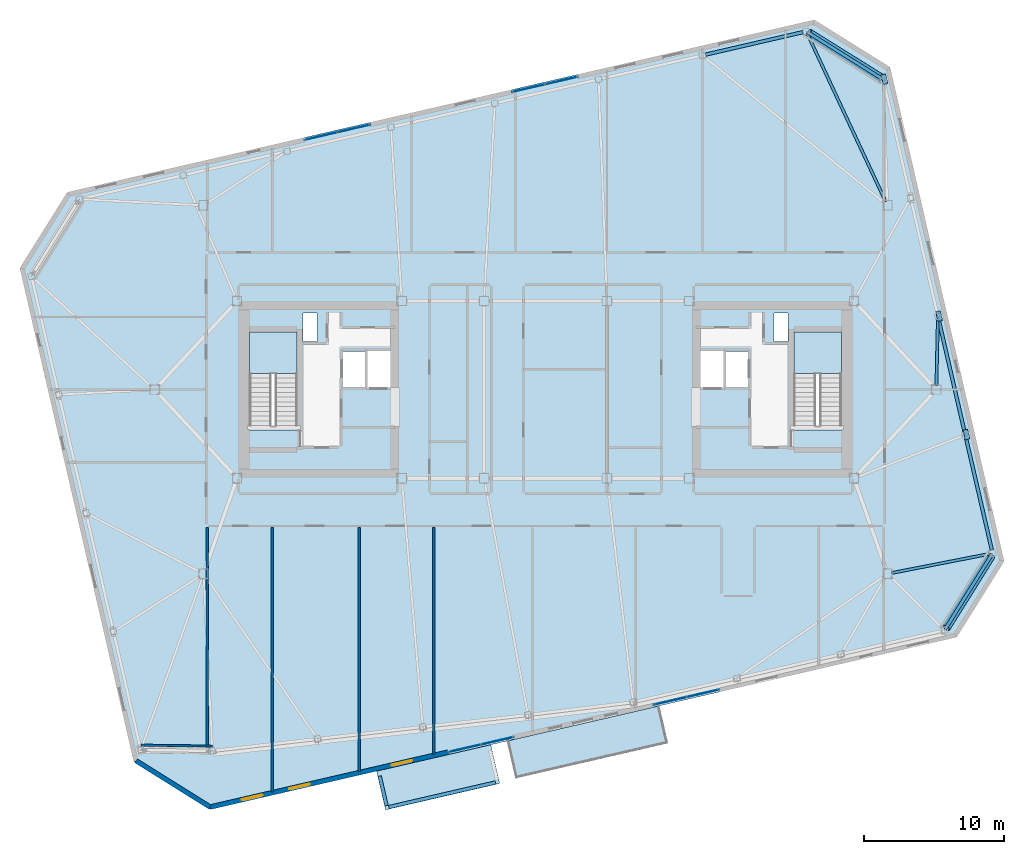
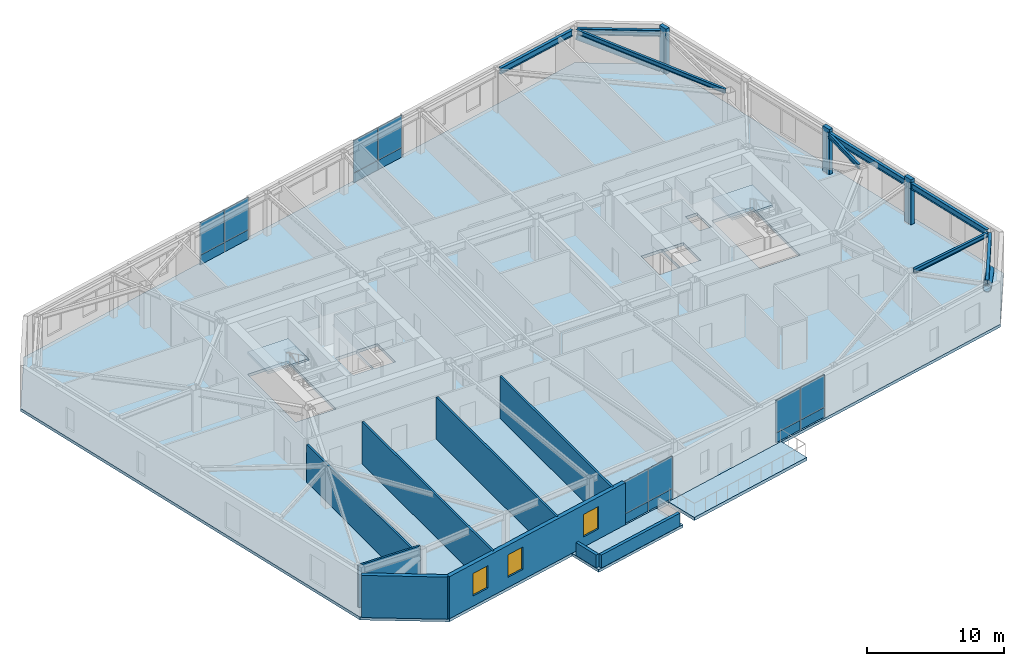
# One storey, part 14 of 23: 16 plates, 9 walls, 8 beams, 5 members, 5 slabs, 3 windows, 3 openings, 6 elements without a shape of their own.
"""IFC4 building model written with IfcOpenShell, lengths in metres."""

from ifc_helpers import new_model, si_unit, direction, frame, frame_2d, origin, origin_2d, place, context, subcontext, project, spatial, polyline, rectangle, hollow_circle, i_section, outline, extrude, material, layer, layer_set, material_profile, profile_set, type_object, element, fill, aggregate, save


model = new_model("IFC4")

# Units and contexts
model_context = context("Model", 3, precision=1e-05, world=origin(), true_north=direction((0.0, 1.0)))
body_context = subcontext(model_context, "Body", "Model", "MODEL_VIEW")
ifc_project = project(units=[si_unit("LENGTHUNIT", "METRE"), si_unit("AREAUNIT", "SQUARE_METRE"), si_unit("VOLUMEUNIT", "CUBIC_METRE"), si_unit("PLANEANGLEUNIT", "RADIAN"), si_unit("MASSUNIT", "GRAM", prefix="KILO")], contexts=[model_context])

# Site, building, storey
site_placement = place(None, origin())
site = spatial("IfcSite", under=ifc_project, at=site_placement, CompositionType="ELEMENT")
building_placement = place(site_placement, origin())
building = spatial("IfcBuilding", under=site, at=building_placement, Name="Tavrogorsk Clinical Tower", CompositionType="ELEMENT")
storey_placement = place(building_placement, frame((0.0, 0.0, 289.0)))
storey = spatial("IfcBuildingStorey", under=building, at=storey_placement, Name="L67", CompositionType="ELEMENT", Elevation=289.0)

# Members
ifc_material_1 = material(Name="Structural steel S440", Category="steel")
ifc_material_profile_1 = material_profile(ifc_material_1, hollow_circle(Radius=0.304931640625, WallThickness=0.02490234375, at=origin_2d()), Name="CHS-610x25")
ifc_profile_set_1 = profile_set([ifc_material_profile_1], Name="Structural steel S440")
member_type_1 = type_object("IfcMemberType", Name="ExoBrace_CHS610", PredefinedType="BRACE", material=ifc_profile_set_1)
for number, where, z_axis, x_axis, name in (
    (1, (31.9228515625, -11.9091796875, 0.393310546875), (-0.485685891885, -0.777193135924, 0.40010004236), (0.848027637525, -0.529952003481, 0.0), "L67 Corner Exoskeleton Brace S8-E1"),
    (2, (24.017578125, 22.332275390625, 0.393310546875), (-0.777221605895, 0.485643868835, 0.400095748531), (-0.529905066536, -0.848056967697, 0.0), "L67 Corner Exoskeleton Brace E5-N1"),
):
    element("IfcMember", number, at=place(storey_placement, frame(where, z_axis=z_axis, x_axis=x_axis)), inside=storey, type_object=member_type_1, Name=name, PredefinedType="BRACE", context=body_context, shape_type="SweptSolid", body=[
        extrude(hollow_circle(Radius=0.304931640625, WallThickness=0.02490234375, at=origin_2d()), origin(), (0.0, 0.0, 1.0), 6.63232421875),
    ])

# Beams
ifc_material_2 = material(Name="Structural steel S355", Category="steel")
ifc_material_profile_2 = material_profile(ifc_material_2, i_section(OverallWidth=0.199951171875, OverallDepth=0.39990234375, WebThickness=0.010498046875, FlangeThickness=0.01611328125, at=origin_2d()), Name="B-400x200x10.5x16")
ifc_profile_set_2 = profile_set([ifc_material_profile_2], Name="Structural steel S355")
beam_type_1 = type_object("IfcBeamType", Name="FloorBeam_B400", PredefinedType="BEAM", material=ifc_profile_set_2)
beam_1_placement = place(storey_placement, frame((24.368896484375, 13.48095703125, 3.5400390625), z_axis=(-0.422928957087, 0.906162842571, 0.0), x_axis=(-0.906162842571, -0.422928957087, 0.0)))
element("IfcBeam", 3, at=beam_1_placement, inside=storey, type_object=beam_type_1, Name="L67 Radial Floor Beam N1", PredefinedType="BEAM", context=body_context, shape_type="SweptSolid", body=[
    extrude(i_section(OverallWidth=0.199951171875, OverallDepth=0.39990234375, WebThickness=0.010498046875, FlangeThickness=0.01611328125, at=origin_2d()), origin(), (0.0, 0.0, 1.0), 13.214111328125),
])
beam_2_placement = place(storey_placement, frame((24.80419921875, -13.140625, 3.5400390625), z_axis=(0.981451198395, 0.191712141424, 0.0), x_axis=(-0.191712141424, 0.981451198395, 0.0)))
element("IfcBeam", 4, at=beam_2_placement, inside=storey, type_object=beam_type_1, Name="L67 Radial Floor Beam E1", PredefinedType="BEAM", context=body_context, shape_type="SweptSolid", body=[
    extrude(i_section(OverallWidth=0.199951171875, OverallDepth=0.39990234375, WebThickness=0.010498046875, FlangeThickness=0.01611328125, at=origin_2d()), origin(), (0.0, 0.0, 1.0), 7.13525390625),
])
beam_3_placement = place(storey_placement, frame((28.0068359375, 0.309814453125, 3.5400390625), z_axis=(0.022370062613, 0.999749758839, 0.0), x_axis=(-0.999749758839, 0.022370062613, 0.0)))
element("IfcBeam", 5, at=beam_3_placement, inside=storey, type_object=beam_type_1, Name="L67 Radial Floor Beam E3", PredefinedType="BEAM", context=body_context, shape_type="SweptSolid", body=[
    extrude(i_section(OverallWidth=0.199951171875, OverallDepth=0.39990234375, WebThickness=0.010498046875, FlangeThickness=0.01611328125, at=origin_2d()), origin(), (0.0, 0.0, 1.0), 4.703857421875),
])

# Members
ifc_material_3 = material(Name="Precast concrete B45 with limestone cladding", Category="masonry")
ifc_material_profile_3 = material_profile(ifc_material_3, rectangle(XDim=0.320068359375, YDim=0.719970703125, at=origin_2d()), Name="LIMESTONE-FIN-320x720")
ifc_profile_set_3 = profile_set([ifc_material_profile_3], Name="Precast concrete B45 with limestone cladding")
member_type_2 = type_object("IfcMemberType", Name="LimestonePleatFin_320x720", PredefinedType="USERDEFINED", material=ifc_profile_set_3)
for number, where, z_axis, x_axis, name in (
    (6, (30.154541015625, -3.223388671875, 0.0), (0.0, 0.0, 1.0), (0.974370064785, 0.224951054344, 0.0), "L67 E Pleated Stone Fin 1"),
    (7, (28.1953125, 5.263427734375, 0.0), (0.0, 0.0, 1.0), (0.974370064785, 0.224951054344, 0.0), "L67 E Pleated Stone Fin 2"),
    (8, (24.276611328125, 22.237060546875, 0.0), (0.0, 0.0, 1.0), (0.974370064785, 0.224951054344, 0.0), "L67 E Pleated Stone Fin 4"),
):
    element("IfcMember", number, at=place(storey_placement, frame(where, z_axis=z_axis, x_axis=x_axis)), inside=storey, type_object=member_type_2, Name=name, ObjectType="FIN", PredefinedType="USERDEFINED", context=body_context, shape_type="SweptSolid", body=[
        extrude(rectangle(XDim=0.320068359375, YDim=0.719970703125, at=origin_2d()), origin(), (0.0, 0.0, 1.0), 4.0),
    ])

# Beams
ifc_material_4 = material(Name="Structural steel S390", Category="steel")
ifc_material_profile_4 = material_profile(ifc_material_4, i_section(OverallWidth=0.239990234375, OverallDepth=0.550048828125, WebThickness=0.013916015625, FlangeThickness=0.02197265625, at=origin_2d()), Name="B-550x240x14x22")
ifc_profile_set_4 = profile_set([ifc_material_profile_4], Name="Structural steel S390")
beam_type_2 = type_object("IfcBeamType", Name="SpandrelBeam_B550", PredefinedType="SPANDREL", material=ifc_profile_set_4)
beam_4_placement = place(storey_placement, frame((28.712158203125, -17.04736328125, 3.465087890625), z_axis=(0.529904457892, 0.848057348006, 0.0), x_axis=(-0.848057348006, 0.529904457892, 0.0)))
element("IfcBeam", 9, at=beam_4_placement, inside=storey, type_object=beam_type_2, Name="L67 Perimeter Spandrel S8-E1", PredefinedType="SPANDREL", context=body_context, shape_type="SweptSolid", body=[
    extrude(i_section(OverallWidth=0.239990234375, OverallDepth=0.550048828125, WebThickness=0.013916015625, FlangeThickness=0.02197265625, at=origin_2d()), origin(), (0.0, 0.0, 1.0), 6.039306640625),
])
for number, where, z_axis, x_axis, name in (
    (10, (31.9833984375, -11.5009765625, 3.465087890625), (-0.224950345141, 0.974370228517, 0.0), (-0.974370228517, -0.224950345141, 0.0), "L67 Perimeter Spandrel E1-E2"),
    (11, (30.024169921875, -3.01416015625, 3.465087890625), (-0.224950345141, 0.974370228517, 0.0), (-0.974370228517, -0.224950345141, 0.0), "L67 Perimeter Spandrel E2-E3"),
):
    element("IfcBeam", number, at=place(storey_placement, frame(where, z_axis=z_axis, x_axis=x_axis)), inside=storey, type_object=beam_type_2, Name=name, PredefinedType="SPANDREL", context=body_context, shape_type="SweptSolid", body=[
        extrude(i_section(OverallWidth=0.239990234375, OverallDepth=0.550048828125, WebThickness=0.013916015625, FlangeThickness=0.02197265625, at=origin_2d()), origin(), (0.0, 0.0, 1.0), 8.243896484375),
    ])
beam_5_placement = place(storey_placement, frame((24.0009765625, 22.342529296875, 3.465087890625), z_axis=(-0.848057348006, 0.529904457892, 0.0), x_axis=(-0.529904457892, -0.848057348006, 0.0)))
element("IfcBeam", 12, at=beam_5_placement, inside=storey, type_object=beam_type_2, Name="L67 Perimeter Spandrel E5-N1", PredefinedType="SPANDREL", context=body_context, shape_type="SweptSolid", body=[
    extrude(i_section(OverallWidth=0.239990234375, OverallDepth=0.550048828125, WebThickness=0.013916015625, FlangeThickness=0.02197265625, at=origin_2d()), origin(), (0.0, 0.0, 1.0), 6.039306640625),
])
beam_6_placement = place(storey_placement, frame((18.45458984375, 25.61376953125, 3.465087890625), z_axis=(-0.974375120167, -0.224929155956, 0.0), x_axis=(0.224929155956, -0.974375120167, 0.0)))
element("IfcBeam", 13, at=beam_6_placement, inside=storey, type_object=beam_type_2, Name="L67 Perimeter Spandrel N1-N2", PredefinedType="SPANDREL", context=body_context, shape_type="SweptSolid", body=[
    extrude(i_section(OverallWidth=0.239990234375, OverallDepth=0.550048828125, WebThickness=0.013916015625, FlangeThickness=0.02197265625, at=origin_2d()), origin(), (0.0, 0.0, 1.0), 7.16796875),
])

# Curtain wall, plates
ifc_material_5 = material(Name="Anodised aluminium and triple IGU glazing", Category="aluminium")
ifc_layer_1 = layer(ifc_material_5, 0.179931640625)
ifc_layer_set_1 = layer_set([ifc_layer_1], Name="Anodised aluminium and triple IGU glazing")
curtain_wall_type_1 = type_object("IfcCurtainWallType", Name="CW3_SouthSlot", PredefinedType="NOTDEFINED", material=ifc_layer_set_1)
curtain_wall_1_placement = place(storey_placement, origin())
curtain_wall_1 = element("IfcCurtainWall", 14, at=curtain_wall_1_placement, inside=storey, type_object=curtain_wall_type_1, Name="L67 Curtain Wall CW-L67-S-SLOT-1", PredefinedType="NOTDEFINED")
ifc_material_6 = material(Name="Honed Podolsk limestone spandrel panel", Category="masonry")
ifc_layer_2 = layer(ifc_material_6, 0.080078125)
ifc_layer_set_2 = layer_set([ifc_layer_2], Name="Honed Podolsk limestone spandrel panel")
plate_type_1 = type_object("IfcPlateType", Name="CwSpandrelStonePanel_80", PredefinedType="CURTAIN_PANEL", material=ifc_layer_set_2)
plate_1_placement = place(storey_placement, frame((-5.810546875, -25.7099609375, 0.001953125), z_axis=(0.0, 0.0, 1.0), x_axis=(0.974370057377, 0.224951086434, 0.0)))
plate_1 = element("IfcPlate", 15, at=plate_1_placement, type_object=plate_type_1, Name="CW-L67-S-SLOT-1 Stone Spandrel Panel 1", PredefinedType="CURTAIN_PANEL", context=body_context, shape_type="SweptSolid", body=[
    extrude(rectangle(XDim=2.39208984375, YDim=0.080078125, at=origin_2d()), origin(), (0.0, 0.0, 1.0), 0.8359375),
])
plate_2_placement = place(storey_placement, frame((-3.45654296875, -25.16650390625, 0.001953125), z_axis=(0.0, 0.0, 1.0), x_axis=(0.974370057377, 0.224951086434, 0.0)))
plate_2 = element("IfcPlate", 16, at=plate_2_placement, type_object=plate_type_1, Name="CW-L67-S-SLOT-1 Stone Spandrel Panel 2", PredefinedType="CURTAIN_PANEL", context=body_context, shape_type="SweptSolid", body=[
    extrude(rectangle(XDim=2.39208984375, YDim=0.080078125, at=origin_2d()), origin(), (0.0, 0.0, 1.0), 0.8359375),
])

curtain_wall_2_placement = place(storey_placement, origin())
curtain_wall_2 = element("IfcCurtainWall", 17, at=curtain_wall_2_placement, inside=storey, type_object=curtain_wall_type_1, Name="L67 Curtain Wall CW-L67-S-SLOT-2", PredefinedType="NOTDEFINED")
plate_3_placement = place(storey_placement, frame((8.9296875, -22.306884765625, 0.001953125), z_axis=(0.0, 0.0, 1.0), x_axis=(0.974370057377, 0.224951086434, 0.0)))
plate_3 = element("IfcPlate", 18, at=plate_3_placement, type_object=plate_type_1, Name="CW-L67-S-SLOT-2 Stone Spandrel Panel 1", PredefinedType="CURTAIN_PANEL", context=body_context, shape_type="SweptSolid", body=[
    extrude(rectangle(XDim=2.39208984375, YDim=0.080078125, at=origin_2d()), origin(), (0.0, 0.0, 1.0), 0.8359375),
])
plate_4_placement = place(storey_placement, frame((11.28369140625, -21.763427734375, 0.001953125), z_axis=(0.0, 0.0, 1.0), x_axis=(0.974370057377, 0.224951086434, 0.0)))
plate_4 = element("IfcPlate", 19, at=plate_4_placement, type_object=plate_type_1, Name="CW-L67-S-SLOT-2 Stone Spandrel Panel 2", PredefinedType="CURTAIN_PANEL", context=body_context, shape_type="SweptSolid", body=[
    extrude(rectangle(XDim=2.39208984375, YDim=0.080078125, at=origin_2d()), origin(), (0.0, 0.0, 1.0), 0.8359375),
])

ifc_material_7 = material(Name="Anodised aluminium and triple IGU glazing", Category="aluminium")
ifc_layer_3 = layer(ifc_material_7, 0.179931640625)
ifc_layer_set_3 = layer_set([ifc_layer_3], Name="Anodised aluminium and triple IGU glazing")
curtain_wall_type_2 = type_object("IfcCurtainWallType", Name="CW2_NorthSlot", PredefinedType="NOTDEFINED", material=ifc_layer_set_3)
curtain_wall_3_placement = place(storey_placement, origin())
curtain_wall_3 = element("IfcCurtainWall", 20, at=curtain_wall_3_placement, inside=storey, type_object=curtain_wall_type_2, Name="L67 Curtain Wall CW-L67-N-SLOT-1", PredefinedType="NOTDEFINED")
plate_5_placement = place(storey_placement, frame((-13.729736328125, 18.70703125, 0.001953125), z_axis=(0.0, 0.0, 1.0), x_axis=(-0.974370057377, -0.224951086434, 0.0)))
plate_5 = element("IfcPlate", 21, at=plate_5_placement, type_object=plate_type_1, Name="CW-L67-N-SLOT-1 Stone Spandrel Panel 1", PredefinedType="CURTAIN_PANEL", context=body_context, shape_type="SweptSolid", body=[
    extrude(rectangle(XDim=2.39208984375, YDim=0.080078125, at=origin_2d()), origin(), (0.0, 0.0, 1.0), 0.8359375),
])
plate_6_placement = place(storey_placement, frame((-16.083740234375, 18.16357421875, 0.001953125), z_axis=(0.0, 0.0, 1.0), x_axis=(-0.974370057377, -0.224951086434, 0.0)))
plate_6 = element("IfcPlate", 22, at=plate_6_placement, type_object=plate_type_1, Name="CW-L67-N-SLOT-1 Stone Spandrel Panel 2", PredefinedType="CURTAIN_PANEL", context=body_context, shape_type="SweptSolid", body=[
    extrude(rectangle(XDim=2.39208984375, YDim=0.080078125, at=origin_2d()), origin(), (0.0, 0.0, 1.0), 0.8359375),
])

curtain_wall_4_placement = place(storey_placement, origin())
curtain_wall_4 = element("IfcCurtainWall", 23, at=curtain_wall_4_placement, inside=storey, type_object=curtain_wall_type_2, Name="L67 Curtain Wall CW-L67-N-SLOT-2", PredefinedType="NOTDEFINED")
plate_7_placement = place(storey_placement, frame((1.1474609375, 22.1416015625, 0.001953125), z_axis=(0.0, 0.0, 1.0), x_axis=(-0.974370092441, -0.224950934554, 0.0)))
plate_7 = element("IfcPlate", 24, at=plate_7_placement, type_object=plate_type_1, Name="CW-L67-N-SLOT-2 Stone Spandrel Panel 1", PredefinedType="CURTAIN_PANEL", context=body_context, shape_type="SweptSolid", body=[
    extrude(rectangle(XDim=2.39208984375, YDim=0.080078125, at=origin_2d()), origin(), (0.0, 0.0, 1.0), 0.8359375),
])
plate_8_placement = place(storey_placement, frame((-1.20654296875, 21.59814453125, 0.001953125), z_axis=(0.0, 0.0, 1.0), x_axis=(-0.974370092441, -0.224950934554, 0.0)))
plate_8 = element("IfcPlate", 25, at=plate_8_placement, type_object=plate_type_1, Name="CW-L67-N-SLOT-2 Stone Spandrel Panel 2", PredefinedType="CURTAIN_PANEL", context=body_context, shape_type="SweptSolid", body=[
    extrude(rectangle(XDim=2.39208984375, YDim=0.080078125, at=origin_2d()), origin(), (0.0, 0.0, 1.0), 0.8359375),
])

# Plate
ifc_material_8 = material(Name="Triple low-E argon insulated glass", Category="glass")
ifc_layer_4 = layer(ifc_material_8, 0.048095703125)
ifc_layer_set_4 = layer_set([ifc_layer_4], Name="Triple low-E argon insulated glass")
plate_type_2 = type_object("IfcPlateType", Name="CwVisionGlassPanel_48", PredefinedType="CURTAIN_PANEL", material=ifc_layer_set_4)
plate_9_placement = place(storey_placement, frame((-5.810546875, -25.7099609375, 0.862060546875), z_axis=(0.0, 0.0, 1.0), x_axis=(0.974370057377, 0.224951086434, 0.0)))
plate_9 = element("IfcPlate", 26, at=plate_9_placement, type_object=plate_type_2, Name="CW-L67-S-SLOT-1 Glazing Panel 1", PredefinedType="CURTAIN_PANEL", context=body_context, shape_type="SweptSolid", body=[
    extrude(rectangle(XDim=2.39208984375, YDim=0.048095703125, at=origin_2d()), origin(), (0.0, 0.0, 1.0), 2.8759765625),
])

plate_10_placement = place(storey_placement, frame((-3.45654296875, -25.16650390625, 0.862060546875), z_axis=(0.0, 0.0, 1.0), x_axis=(0.974370057377, 0.224951086434, 0.0)))
plate_10 = element("IfcPlate", 27, at=plate_10_placement, type_object=plate_type_2, Name="CW-L67-S-SLOT-1 Glazing Panel 2", PredefinedType="CURTAIN_PANEL", context=body_context, shape_type="SweptSolid", body=[
    extrude(rectangle(XDim=2.39208984375, YDim=0.048095703125, at=origin_2d()), origin(), (0.0, 0.0, 1.0), 2.8759765625),
])

aggregate(curtain_wall_1, [plate_1, plate_9, plate_2, plate_10])

plate_11_placement = place(storey_placement, frame((8.9296875, -22.306884765625, 0.862060546875), z_axis=(0.0, 0.0, 1.0), x_axis=(0.974370057377, 0.224951086434, 0.0)))
plate_11 = element("IfcPlate", 28, at=plate_11_placement, type_object=plate_type_2, Name="CW-L67-S-SLOT-2 Glazing Panel 1", PredefinedType="CURTAIN_PANEL", context=body_context, shape_type="SweptSolid", body=[
    extrude(rectangle(XDim=2.39208984375, YDim=0.048095703125, at=origin_2d()), origin(), (0.0, 0.0, 1.0), 2.8759765625),
])

plate_12_placement = place(storey_placement, frame((11.28369140625, -21.763427734375, 0.862060546875), z_axis=(0.0, 0.0, 1.0), x_axis=(0.974370057377, 0.224951086434, 0.0)))
plate_12 = element("IfcPlate", 29, at=plate_12_placement, type_object=plate_type_2, Name="CW-L67-S-SLOT-2 Glazing Panel 2", PredefinedType="CURTAIN_PANEL", context=body_context, shape_type="SweptSolid", body=[
    extrude(rectangle(XDim=2.39208984375, YDim=0.048095703125, at=origin_2d()), origin(), (0.0, 0.0, 1.0), 2.8759765625),
])

aggregate(curtain_wall_2, [plate_3, plate_11, plate_4, plate_12])

plate_13_placement = place(storey_placement, frame((-13.729736328125, 18.70703125, 0.862060546875), z_axis=(0.0, 0.0, 1.0), x_axis=(-0.974370057377, -0.224951086434, 0.0)))
plate_13 = element("IfcPlate", 30, at=plate_13_placement, type_object=plate_type_2, Name="CW-L67-N-SLOT-1 Glazing Panel 1", PredefinedType="CURTAIN_PANEL", context=body_context, shape_type="SweptSolid", body=[
    extrude(rectangle(XDim=2.39208984375, YDim=0.048095703125, at=origin_2d()), origin(), (0.0, 0.0, 1.0), 2.8759765625),
])

plate_14_placement = place(storey_placement, frame((-16.083740234375, 18.16357421875, 0.862060546875), z_axis=(0.0, 0.0, 1.0), x_axis=(-0.974370057377, -0.224951086434, 0.0)))
plate_14 = element("IfcPlate", 31, at=plate_14_placement, type_object=plate_type_2, Name="CW-L67-N-SLOT-1 Glazing Panel 2", PredefinedType="CURTAIN_PANEL", context=body_context, shape_type="SweptSolid", body=[
    extrude(rectangle(XDim=2.39208984375, YDim=0.048095703125, at=origin_2d()), origin(), (0.0, 0.0, 1.0), 2.8759765625),
])

aggregate(curtain_wall_3, [plate_5, plate_13, plate_6, plate_14])

plate_15_placement = place(storey_placement, frame((1.1474609375, 22.1416015625, 0.862060546875), z_axis=(0.0, 0.0, 1.0), x_axis=(-0.974370092441, -0.224950934554, 0.0)))
plate_15 = element("IfcPlate", 32, at=plate_15_placement, type_object=plate_type_2, Name="CW-L67-N-SLOT-2 Glazing Panel 1", PredefinedType="CURTAIN_PANEL", context=body_context, shape_type="SweptSolid", body=[
    extrude(rectangle(XDim=2.39208984375, YDim=0.048095703125, at=origin_2d()), origin(), (0.0, 0.0, 1.0), 2.8759765625),
])

plate_16_placement = place(storey_placement, frame((-1.20654296875, 21.59814453125, 0.862060546875), z_axis=(0.0, 0.0, 1.0), x_axis=(-0.974370092441, -0.224950934554, 0.0)))
plate_16 = element("IfcPlate", 33, at=plate_16_placement, type_object=plate_type_2, Name="CW-L67-N-SLOT-2 Glazing Panel 2", PredefinedType="CURTAIN_PANEL", context=body_context, shape_type="SweptSolid", body=[
    extrude(rectangle(XDim=2.39208984375, YDim=0.048095703125, at=origin_2d()), origin(), (0.0, 0.0, 1.0), 2.8759765625),
])

aggregate(curtain_wall_4, [plate_7, plate_15, plate_8, plate_16])

# Slab
ifc_material_9 = material(Name="Concrete B60", Category="concrete")
ifc_layer_5 = layer(ifc_material_9, 0.239990234375)
ifc_layer_set_5 = layer_set([ifc_layer_5], Name="Concrete B60")
slab_type_1 = type_object("IfcSlabType", Name="DayroomSlab_240", PredefinedType="FLOOR", material=ifc_layer_set_5)
slab_1_placement = place(storey_placement, frame((0.0, 0.0, -0.239990234375)))
element("IfcSlab", 34, at=slab_1_placement, inside=storey, type_object=slab_type_1, Name="L67 Day-Room Box Roof DRB-09", PredefinedType="ROOF", context=body_context, shape_type="SweptSolid", body=[
    extrude(outline(polyline([(-3.2783203125, -28.224853515625), (-11.462890625, -30.114501953125), (-12.10400390625, -27.33740234375), (-3.919189453125, -25.447998046875), (-3.2783203125, -28.224853515625)])), origin(), (0.0, 0.0, 1.0), 0.239990234375),
])

# Stair, slab
ifc_material_10 = material(Name="Concrete B60", Category="concrete")
stair_type = type_object("IfcStairType", Name="CoreStairAssembly", PredefinedType="HALF_TURN_STAIR", material=ifc_material_10)
stair_1_placement = place(storey_placement, origin())
stair_1 = element("IfcStair", 35, at=stair_1_placement, inside=storey, type_object=stair_type, Name="L67 ST-W", PredefinedType="HALF_TURN_STAIR")
ifc_material_11 = material(Name="Concrete B60", Category="concrete")
ifc_layer_6 = layer(ifc_material_11, 0.199951171875)
ifc_layer_set_6 = layer_set([ifc_layer_6], Name="Concrete B60")
slab_type_2 = type_object("IfcSlabType", Name="StairLanding_200", PredefinedType="LANDING", material=ifc_layer_set_6)
slab_2_placement = place(storey_placement, frame((0.0, 0.0, 1.800048828125)))
slab_2 = element("IfcSlab", 36, at=slab_2_placement, type_object=slab_type_2, Name="ST-W landing 1", PredefinedType="LANDING", context=body_context, shape_type="SweptSolid", body=[
    extrude(outline(polyline([(-17.800048828125, 1.1650390625), (-17.800048828125, 4.125), (-21.199951171875, 4.125), (-21.199951171875, 1.1650390625), (-17.800048828125, 1.1650390625)])), origin(), (0.0, 0.0, 1.0), 0.199951171875),
])
aggregate(stair_1, [slab_2])

stair_2_placement = place(storey_placement, origin())
stair_2 = element("IfcStair", 37, at=stair_2_placement, inside=storey, type_object=stair_type, Name="L67 ST-E", PredefinedType="HALF_TURN_STAIR")
slab_3_placement = place(storey_placement, frame((0.0, 0.0, 1.800048828125)))
slab_3 = element("IfcSlab", 38, at=slab_3_placement, type_object=slab_type_2, Name="ST-E landing 1", PredefinedType="LANDING", context=body_context, shape_type="SweptSolid", body=[
    extrude(outline(polyline([(21.199951171875, 1.1650390625), (21.199951171875, 4.125), (17.800048828125, 4.125), (17.800048828125, 1.1650390625), (21.199951171875, 1.1650390625)])), origin(), (0.0, 0.0, 1.0), 0.199951171875),
])
aggregate(stair_2, [slab_3])

# Slabs
ifc_material_12 = material(Name="Concrete B60", Category="concrete")
ifc_layer_7 = layer(ifc_material_12, 0.280029296875)
ifc_layer_set_7 = layer_set([ifc_layer_7], Name="Concrete B60")
slab_type_3 = type_object("IfcSlabType", Name="TerraceRoofSlab_280", PredefinedType="ROOF", material=ifc_layer_set_7)
slab_4_placement = place(storey_placement, frame((0.0, 0.0, -0.280029296875)))
element("IfcSlab", 39, at=slab_4_placement, inside=storey, type_object=slab_type_3, Name="Spiralling Recuperation Terrace Slab", PredefinedType="ROOF", context=body_context, shape_type="SweptSolid", body=[
    extrude(outline(polyline([(8.781494140625, -25.337890625), (-2.131591796875, -27.857421875), (-2.75, -25.177978515625), (8.162841796875, -22.658447265625), (8.781494140625, -25.337890625)])), origin(), (0.0, 0.0, 1.0), 0.280029296875),
])
ifc_material_13 = material(Name="Concrete B60", Category="concrete")
ifc_layer_8 = layer(ifc_material_13, 0.260009765625)
ifc_layer_set_8 = layer_set([ifc_layer_8], Name="Concrete B60")
slab_type_4 = type_object("IfcSlabType", Name="WardSlab_260", PredefinedType="FLOOR", material=ifc_layer_set_8)
slab_5_placement = place(storey_placement, frame((0.0, 0.0, -0.260009765625)))
element("IfcSlab", 40, at=slab_5_placement, inside=storey, type_object=slab_type_4, Name="L67 Structural Slab", PredefinedType="FLOOR", context=body_context, shape_type="SweptSolid", body=[
    extrude(outline(polyline([(-23.991455078125, -30.081787109375), (29.404052734375, -17.75439453125), (32.8515625, -12.23779296875), (24.708251953125, 23.034423828125), (19.19140625, 26.48193359375), (-34.2041015625, 14.154541015625), (-37.651611328125, 8.6376953125), (-29.50830078125, -26.634521484375), (-23.991455078125, -30.081787109375)]), holes=[polyline([(-17.800048828125, -2.8798828125), (-17.800048828125, 4.125), (-21.199951171875, 4.125), (-21.199951171875, -2.8798828125), (-17.800048828125, -2.8798828125)]), polyline([(21.199951171875, -2.8798828125), (21.199951171875, 4.125), (17.800048828125, 4.125), (17.800048828125, -2.8798828125), (21.199951171875, -2.8798828125)]), polyline([(-14.6201171875, 0.169921875), (-12.860107421875, 0.169921875), (-12.860107421875, 2.72998046875), (-14.6201171875, 2.72998046875), (-14.6201171875, 0.169921875)]), polyline([(-12.840087890625, 0.1201171875), (-11.080078125, 0.1201171875), (-11.080078125, 2.780029296875), (-12.840087890625, 2.780029296875), (-12.840087890625, 0.1201171875)]), polyline([(12.860107421875, 0.169921875), (14.6201171875, 0.169921875), (14.6201171875, 2.72998046875), (12.860107421875, 2.72998046875), (12.860107421875, 0.169921875)]), polyline([(11.080078125, 0.1201171875), (12.840087890625, 0.1201171875), (12.840087890625, 2.780029296875), (11.080078125, 2.780029296875), (11.080078125, 0.1201171875)]), polyline([(-17.3798828125, 3.449951171875), (-16.3798828125, 3.449951171875), (-16.3798828125, 5.5), (-17.3798828125, 5.5), (-17.3798828125, 3.449951171875)]), polyline([(16.3798828125, 3.449951171875), (17.3798828125, 3.449951171875), (17.3798828125, 5.5), (16.3798828125, 5.5), (16.3798828125, 3.449951171875)])]), origin(), (0.0, 0.0, 1.0), 0.260009765625),
])

# Walls
ifc_material_14 = material(Name="Lightweight concrete blockwork B15", Category="masonry")
ifc_layer_9 = layer(ifc_material_14, 0.159912109375)
ifc_layer_set_9 = layer_set([ifc_layer_9], Name="Lightweight concrete blockwork B15")
wall_type_1 = type_object("IfcWallType", Name="PartitionWall_160", PredefinedType="PARTITIONING", material=ifc_layer_set_9)
wall_1_placement = place(storey_placement, frame((-28.994140625, -25.47900390625, 0.0), z_axis=(0.0, 0.0, 1.0), x_axis=(0.999915052546, -0.01303409726, 0.0)))
element("IfcWall", 41, at=wall_1_placement, inside=storey, type_object=wall_type_1, Name="L67 Corner Exoskeleton Brace Furring Wall 4", PredefinedType="PARTITIONING", context=body_context, shape_type="SweptSolid", body=[
    extrude(rectangle(XDim=5.13232421875, YDim=0.159912109375, at=frame_2d((2.566162109375, 0.0))), origin(), (0.0, 0.0, 1.0), 3.739990234375),
])
wall_2_placement = place(storey_placement, frame((-24.22998046875, -25.535888671875, 0.0), z_axis=(0.0, 0.0, 1.0), x_axis=(0.0, 1.0, 0.0)))
element("IfcWall", 42, at=wall_2_placement, inside=storey, type_object=wall_type_1, Name="L67 SW Wing Closure Partition", PredefinedType="PARTITIONING", context=body_context, shape_type="SweptSolid", body=[
    extrude(rectangle(XDim=15.6708984375, YDim=0.159912109375, at=frame_2d((7.83544921875, 0.0))), origin(), (0.0, 0.0, 1.0), 3.3349609375),
])
wall_3_placement = place(storey_placement, frame((-19.580078125, -28.817138671875, 0.0), z_axis=(0.0, 0.0, 1.0), x_axis=(0.0, 1.0, 0.0)))
element("IfcWall", 43, at=wall_3_placement, inside=storey, type_object=wall_type_1, Name="L67 South Room Partition 1", PredefinedType="PARTITIONING", context=body_context, shape_type="SweptSolid", body=[
    extrude(rectangle(XDim=18.9521484375, YDim=0.159912109375, at=frame_2d((9.47607421875, 0.0))), origin(), (0.0, 0.0, 1.0), 3.739990234375),
])
wall_4_placement = place(storey_placement, frame((-8.0, -26.143798828125, 0.0), z_axis=(0.0, 0.0, 1.0), x_axis=(0.0, 1.0, 0.0)))
element("IfcWall", 44, at=wall_4_placement, inside=storey, type_object=wall_type_1, Name="L67 South Room Partition 2", PredefinedType="PARTITIONING", context=body_context, shape_type="SweptSolid", body=[
    extrude(rectangle(XDim=16.27880859375, YDim=0.159912109375, at=frame_2d((8.139404296875, 0.0))), origin(), (0.0, 0.0, 1.0), 3.739990234375),
])
wall_5_placement = place(storey_placement, frame((-13.340087890625, -27.37646484375, 0.0), z_axis=(0.0, 0.0, 1.0), x_axis=(0.0, 1.0, 0.0)))
element("IfcWall", 45, at=wall_5_placement, inside=storey, type_object=wall_type_1, Name="L67 South Sub-Partition 2", PredefinedType="PARTITIONING", context=body_context, shape_type="SweptSolid", body=[
    extrude(rectangle(XDim=17.511474609375, YDim=0.159912109375, at=frame_2d((8.755859375, 0.0))), origin(), (0.0, 0.0, 1.0), 3.739990234375),
])

# Wall, openings, windows
ifc_material_15 = material(Name="Precast concrete B45 with limestone cladding", Category="masonry")
ifc_layer_10 = layer(ifc_material_15, 0.340087890625)
ifc_layer_set_10 = layer_set([ifc_layer_10], Name="Precast concrete B45 with limestone cladding")
wall_type_2 = type_object("IfcWallType", Name="PrecastLimestoneWall_340", PredefinedType="STANDARD", material=ifc_layer_set_10)
wall_6_placement = place(storey_placement, frame((-24.029541015625, -29.916259765625, 0.0), z_axis=(0.0, 0.0, 1.0), x_axis=(0.974370978061, 0.224947098473, 0.0)))
wall_6 = element("IfcWall", 46, at=wall_6_placement, inside=storey, type_object=wall_type_2, Name="L67 S Limestone Facade Wall 1", PredefinedType="STANDARD", context=body_context, shape_type="SweptSolid", body=[
    extrude(rectangle(XDim=17.50634765625, YDim=0.340087890625, at=frame_2d((8.753173828125, 0.0))), origin(), (0.0, 0.0, 1.0), 3.739990234375),
])
opening_1_placement = place(wall_6_placement, frame((2.35009765625, 0.0, 0.89990234375)))
opening_1 = element("IfcOpeningElement", 47, at=opening_1_placement, cuts=wall_6, Name="Opening WN-05", PredefinedType="OPENING", context=body_context, shape_type="SweptSolid", body=[
    extrude(rectangle(XDim=1.5, YDim=2.0, at=frame_2d((0.75, 1.0))), frame((0.0, 0.179931640625, 0.0), z_axis=(0.0, -1.0, 0.0), x_axis=(1.0, 0.0, 0.0)), (0.0, 0.0, 1.0), 0.360107421875),
])
opening_2_placement = place(wall_6_placement, frame((5.81689453125, 0.0, 0.89990234375)))
opening_2 = element("IfcOpeningElement", 48, at=opening_2_placement, cuts=wall_6, Name="Opening WN-05", PredefinedType="OPENING", context=body_context, shape_type="SweptSolid", body=[
    extrude(rectangle(XDim=1.5, YDim=2.0, at=frame_2d((0.75, 1.0))), frame((0.0, 0.179931640625, 0.0), z_axis=(0.0, -1.0, 0.0), x_axis=(1.0, 0.0, 0.0)), (0.0, 0.0, 1.0), 0.360107421875),
])
opening_3_placement = place(wall_6_placement, frame((13.353271484375, 0.0, 0.89990234375)))
opening_3 = element("IfcOpeningElement", 49, at=opening_3_placement, cuts=wall_6, Name="Opening WN-05", PredefinedType="OPENING", context=body_context, shape_type="SweptSolid", body=[
    extrude(rectangle(XDim=1.5, YDim=2.0, at=frame_2d((0.75, 1.0))), frame((0.0, 0.179931640625, 0.0), z_axis=(0.0, -1.0, 0.0), x_axis=(1.0, 0.0, 0.0)), (0.0, 0.0, 1.0), 0.360107421875),
])
ifc_material_16 = material(Name="Thermally broken aluminium frame and triple IGU", Category="aluminium")
window_type = type_object("IfcWindowType", Name="ConsultWin_1500x2000", PartitioningType="SINGLE_PANEL", PredefinedType="WINDOW", material=ifc_material_16)
window_1_placement = place(opening_1_placement, origin())
window_1 = element("IfcWindow", 50, at=window_1_placement, inside=storey, type_object=window_type, Name="L67 S Chicago Window 01", OverallHeight=2.0, OverallWidth=1.5, PartitioningType="SINGLE_PANEL", PredefinedType="WINDOW", context=body_context, shape_type="SweptSolid", body=[
    extrude(rectangle(XDim=1.5, YDim=2.0, at=frame_2d((0.75, 1.0))), frame((0.0, 0.030029296875, 0.0), z_axis=(0.0, -1.0, 0.0), x_axis=(1.0, 0.0, 0.0)), (0.0, 0.0, 1.0), 0.06005859375),
])
fill(opening_1, window_1)
window_2_placement = place(opening_2_placement, origin())
window_2 = element("IfcWindow", 51, at=window_2_placement, inside=storey, type_object=window_type, Name="L67 S Chicago Window 02", OverallHeight=2.0, OverallWidth=1.5, PartitioningType="SINGLE_PANEL", PredefinedType="WINDOW", context=body_context, shape_type="SweptSolid", body=[
    extrude(rectangle(XDim=1.5, YDim=2.0, at=frame_2d((0.75, 1.0))), frame((0.0, 0.030029296875, 0.0), z_axis=(0.0, -1.0, 0.0), x_axis=(1.0, 0.0, 0.0)), (0.0, 0.0, 1.0), 0.06005859375),
])
fill(opening_2, window_2)
window_3_placement = place(opening_3_placement, origin())
window_3 = element("IfcWindow", 52, at=window_3_placement, inside=storey, type_object=window_type, Name="L67 S Chicago Window 04", OverallHeight=2.0, OverallWidth=1.5, PartitioningType="SINGLE_PANEL", PredefinedType="WINDOW", context=body_context, shape_type="SweptSolid", body=[
    extrude(rectangle(XDim=1.5, YDim=2.0, at=frame_2d((0.75, 1.0))), frame((0.0, 0.030029296875, 0.0), z_axis=(0.0, -1.0, 0.0), x_axis=(1.0, 0.0, 0.0)), (0.0, 0.0, 1.0), 0.06005859375),
])
fill(opening_3, window_3)

# Walls
wall_7_placement = place(storey_placement, frame((-29.342529296875, -26.59619140625, 0.0), z_axis=(0.0, 0.0, 1.0), x_axis=(0.848037708252, -0.529935887993, 0.0)))
element("IfcWall", 53, at=wall_7_placement, inside=storey, type_object=wall_type_2, Name="L67 Chamfered Corner Wall 4", PredefinedType="STANDARD", context=body_context, shape_type="SweptSolid", body=[
    extrude(rectangle(XDim=6.26513671875, YDim=0.340087890625, at=frame_2d((3.132568359375, 0.0))), origin(), (0.0, 0.0, 1.0), 3.739990234375),
])
ifc_material_17 = material(Name="Concrete B60", Category="concrete")
ifc_layer_11 = layer(ifc_material_17, 0.25)
ifc_layer_set_11 = layer_set([ifc_layer_11], Name="Concrete B60")
wall_type_3 = type_object("IfcWallType", Name="RoofParapetWall_250", PredefinedType="PARAPET", material=ifc_layer_set_11)
wall_8_placement = place(storey_placement, frame((-11.8798828125, -27.68603515625, 0.0), z_axis=(0.0, 0.0, 1.0), x_axis=(0.224998554752, -0.974359097232, 0.0)))
element("IfcWall", 54, at=wall_8_placement, inside=storey, type_object=wall_type_3, Name="L67 Day-Room Roof Coping Parapet DRB-09-1", PredefinedType="PARAPET", context=body_context, shape_type="SweptSolid", body=[
    extrude(rectangle(XDim=2.179931640625, YDim=0.25, at=frame_2d((1.08984375, 0.0))), origin(), (0.0, 0.0, 1.0), 1.14990234375),
])
wall_9_placement = place(storey_placement, frame((-11.2216796875, -29.9150390625, 0.0), z_axis=(0.0, 0.0, 1.0), x_axis=(0.974369148124, 0.224955024802, 0.0)))
element("IfcWall", 55, at=wall_9_placement, inside=storey, type_object=wall_type_3, Name="L67 Day-Room Roof Coping Parapet DRB-09-2", PredefinedType="PARAPET", context=body_context, shape_type="SweptSolid", body=[
    extrude(rectangle(XDim=7.840087890625, YDim=0.25, at=frame_2d((3.919921875, 0.0))), origin(), (0.0, 0.0, 1.0), 1.14990234375),
])

save(model, "model.ifc")
